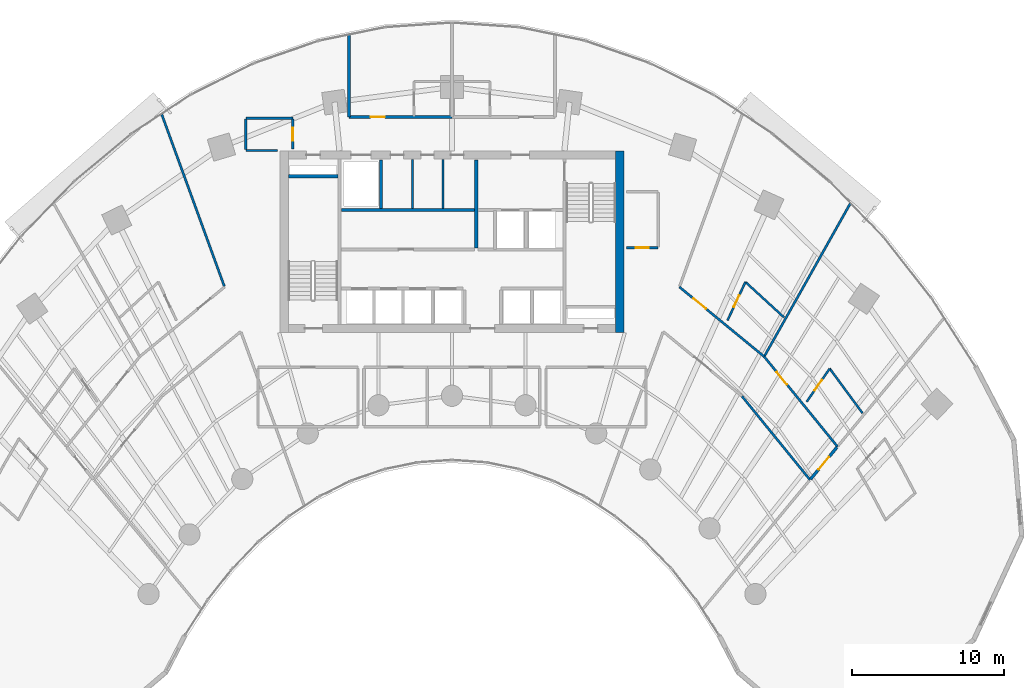
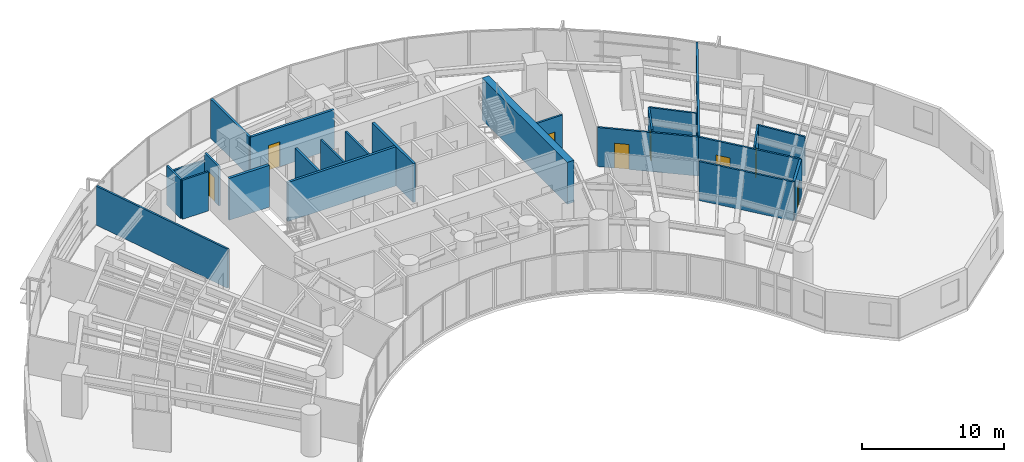
# One storey, part 13 of 17: 24 walls, 8 doors, 8 openings.
"""IFC4 building model written with IfcOpenShell, lengths in metres."""

from ifc_helpers import new_model, si_unit, direction, frame, frame_2d, origin, place, context, subcontext, project, spatial, rectangle, extrude, source, transform, mapped, material, layer, layer_set, type_object, type_shapes, element, fill, save


model = new_model("IFC4")

# Units and contexts
model_context = context("Model", 3, precision=1e-05, world=origin(), true_north=direction((0.0, 1.0)))
body_context = subcontext(model_context, "Body", "Model", "MODEL_VIEW")
ifc_project = project(units=[si_unit("LENGTHUNIT", "METRE"), si_unit("AREAUNIT", "SQUARE_METRE"), si_unit("VOLUMEUNIT", "CUBIC_METRE"), si_unit("PLANEANGLEUNIT", "RADIAN"), si_unit("MASSUNIT", "GRAM", prefix="KILO")], contexts=[model_context])

# Site, building, storey
site_placement = place(None, origin())
site = spatial("IfcSite", under=ifc_project, at=site_placement, CompositionType="ELEMENT")
building_placement = place(site_placement, origin())
building = spatial("IfcBuilding", under=site, at=building_placement, Name="Breltana Convention Tower", CompositionType="ELEMENT")
storey_placement = place(building_placement, frame((0.0, 0.0, 53.39990234375)))
storey = spatial("IfcBuildingStorey", under=building, at=storey_placement, Name="L11", CompositionType="ELEMENT", Elevation=53.39990234375)

# Walls
ifc_material_1 = material(Name="Concrete C60/75", Category="concrete")
ifc_layer_1 = layer(ifc_material_1, 0.550048828125, Name="Concrete C60/75")
ifc_layer_set_1 = layer_set([ifc_layer_1], Name="Concrete C60/75")
wall_type_1 = type_object("IfcWallType", Name="SW-CORE-550", PredefinedType="SHEAR", material=ifc_layer_set_1)
shared_shape_1 = source(origin(), body_context, "Body", "SweptSolid", [
    extrude(rectangle(XDim=12.0, YDim=0.550048828125, at=frame_2d((6.0, 0.0))), origin(), (0.0, 0.0, 1.0), 3.60009765625),
])
wall_1_placement = place(storey_placement, frame((59.074951171875, 60.199951171875, 0.0), z_axis=(0.0, 0.0, 1.0), x_axis=(0.0, 1.0, 0.0)))
element("IfcWall", 1, at=wall_1_placement, inside=storey, type_object=wall_type_1, Name="L11 East Core Shear Wall", PredefinedType="SHEAR", context=body_context, shape_type="MappedRepresentation", body=[
    mapped(shared_shape_1, transform((0.0, 0.0, 0.0), scale=1.0)),
])
ifc_material_2 = material(Name="Concrete C50/60", Category="concrete")
ifc_layer_2 = layer(ifc_material_2, 0.39990234375, Name="Concrete C50/60")
ifc_layer_set_2 = layer_set([ifc_layer_2], Name="Concrete C50/60")
wall_type_2 = type_object("IfcWallType", Name="SW-CORE-400", PredefinedType="SHEAR", material=ifc_layer_set_2)
shared_shape_2 = source(origin(), body_context, "Body", "SweptSolid", [
    extrude(rectangle(XDim=3.27001953125, YDim=0.219970703125, at=frame_2d((1.635009765625, 0.0))), origin(), (0.0, 0.0, 1.0), 3.60009765625),
])
wall_2_placement = place(storey_placement, frame((37.199951171875, 70.510009765625, 0.0), z_axis=(0.0, 0.0, 1.0), x_axis=(1.0, 0.0, 0.0)))
element("IfcWall", 2, at=wall_2_placement, inside=storey, type_object=wall_type_2, Name="L11 ST-1 Stairwell North Bearing Wall", PredefinedType="SHEAR", context=body_context, shape_type="MappedRepresentation", body=[
    mapped(shared_shape_2, transform((0.0, 0.0, 0.0), scale=1.0)),
])
ifc_material_3 = material(Name="Autoclaved Aerated Concrete Block", Category="concrete")
ifc_layer_3 = layer(ifc_material_3, 0.199951171875, Name="Autoclaved Aerated Concrete Block")
ifc_layer_set_3 = layer_set([ifc_layer_3], Name="Autoclaved Aerated Concrete Block")
wall_type_3 = type_object("IfcWallType", Name="WL-SHAFT-200", PredefinedType="SOLIDWALL", material=ifc_layer_set_3)
shared_shape_3 = source(origin(), body_context, "Body", "SweptSolid", [
    extrude(rectangle(XDim=5.800048828125, YDim=0.199951171875, at=frame_2d((2.89990234375, 0.0))), origin(), (0.0, 0.0, 1.0), 3.360107421875),
])
wall_3_placement = place(storey_placement, frame((49.60009765625, 65.800048828125, 0.0), z_axis=(0.0, 0.0, 1.0), x_axis=(0.0, 1.0, 0.0)))
element("IfcWall", 3, at=wall_3_placement, inside=storey, type_object=wall_type_3, Name="L11 interior partition W-L11-FFL-W", PredefinedType="SOLIDWALL", context=body_context, shape_type="MappedRepresentation", body=[
    mapped(shared_shape_3, transform((0.0, 0.0, 0.0), scale=1.0)),
])
shared_shape_4 = source(origin(), body_context, "Body", "SweptSolid", [
    extrude(rectangle(XDim=3.2001953125, YDim=0.199951171875, at=frame_2d((1.60009765625, 0.0))), origin(), (0.0, 0.0, 1.0), 3.360107421875),
])
wall_4_placement = place(storey_placement, frame((43.320068359375, 68.39990234375, 0.0), z_axis=(0.0, 0.0, 1.0), x_axis=(0.0, 1.0, 0.0)))
element("IfcWall", 4, at=wall_4_placement, inside=storey, type_object=wall_type_3, Name="L11 interior partition W-L11-SV-E", PredefinedType="SOLIDWALL", context=body_context, shape_type="MappedRepresentation", body=[
    mapped(shared_shape_4, transform((0.0, 0.0, 0.0), scale=1.0)),
])
shared_shape_5 = source(origin(), body_context, "Body", "SweptSolid", [
    extrude(rectangle(XDim=8.800048828125, YDim=0.199951171875, at=frame_2d((4.39990234375, 0.0))), origin(), (0.0, 0.0, 1.0), 3.360107421875),
])
wall_5_placement = place(storey_placement, frame((40.699951171875, 68.300048828125, 0.0), z_axis=(0.0, 0.0, 1.0), x_axis=(1.0, 0.0, 0.0)))
element("IfcWall", 5, at=wall_5_placement, inside=storey, type_object=wall_type_3, Name="L11 interior partition W-L11-SV-S", PredefinedType="SOLIDWALL", context=body_context, shape_type="MappedRepresentation", body=[
    mapped(shared_shape_5, transform((0.0, 0.0, 0.0), scale=1.0)),
])

# Wall, opening, door
ifc_material_4 = material(Name="Gypsum Acoustic Hotel Wall")
ifc_layer_4 = layer(ifc_material_4, 0.195068359375, Name="Gypsum Acoustic Hotel Wall")
ifc_layer_set_4 = layer_set([ifc_layer_4], Name="Gypsum Acoustic Hotel Wall")
wall_type_4 = type_object("IfcWallType", Name="WL-HOTEL-200", PredefinedType="PARTITIONING", material=ifc_layer_set_4)
shared_shape_6 = source(origin(), body_context, "Body", "SweptSolid", [
    extrude(rectangle(XDim=6.800048828125, YDim=0.195068359375, at=frame_2d((3.39990234375, 0.0))), origin(), (0.0, 0.0, 1.0), 3.360107421875),
])
type_shapes(wall_type_4, [shared_shape_6])
wall_6_placement = place(storey_placement, frame((41.199951171875, 74.419921875, 0.0), z_axis=(0.0, 0.0, 1.0), x_axis=(1.0, 0.0, 0.0)))
wall_6 = element("IfcWall", 6, at=wall_6_placement, inside=storey, type_object=wall_type_4, Name="L11 interior partition W-L11-GRN1-S", PredefinedType="PARTITIONING", context=body_context, shape_type="MappedRepresentation", body=[
    mapped(shared_shape_6, transform((0.0, 0.0, 0.0), scale=1.0)),
])
opening_1_placement = place(wall_6_placement, frame((1.428955078125, 0.0, 0.0)))
opening_1 = element("IfcOpeningElement", 7, at=opening_1_placement, cuts=wall_6, Name="Opening D-14", PredefinedType="OPENING", context=body_context, shape_type="SweptSolid", body=[
    extrude(rectangle(XDim=0.949951171875, YDim=2.14990234375, at=frame_2d((0.47509765625, 1.074951171875))), frame((0.0, 0.107421875, 0.0), z_axis=(0.0, -1.0, 0.0), x_axis=(1.0, 0.0, 0.0)), (0.0, 0.0, 1.0), 0.215087890625),
])
ifc_material_5 = material(Name="Timber Solid-Core Fire Door", Category="wood")
door_type_1 = type_object("IfcDoorType", Name="DR-FD60-950", OperationType="NOTDEFINED", PredefinedType="DOOR", material=ifc_material_5)
shared_shape_7 = source(origin(), body_context, "Body", "SweptSolid", [
    extrude(rectangle(XDim=0.949951171875, YDim=2.14990234375, at=frame_2d((0.47509765625, 1.074951171875))), frame((0.0, 0.02490234375, 0.0), z_axis=(0.0, -1.0, 0.0), x_axis=(1.0, 0.0, 0.0)), (0.0, 0.0, 1.0), 0.050048828125),
])
type_shapes(door_type_1, [shared_shape_7])
door_1_placement = place(opening_1_placement, origin())
door_1 = element("IfcDoor", 8, at=door_1_placement, inside=storey, type_object=door_type_1, Name="L11 interior door D-L11-GRN1", OperationType="SINGLE_SWING_RIGHT", OverallHeight=2.14990234375, OverallWidth=0.949951171875, PredefinedType="DOOR", context=body_context, shape_type="MappedRepresentation", body=[
    mapped(shared_shape_7, transform((0.0, 0.0, 0.0), scale=1.0)),
])
fill(opening_1, door_1)

# Wall
shared_shape_8 = source(origin(), body_context, "Body", "SweptSolid", [
    extrude(rectangle(XDim=5.42626953125, YDim=0.195068359375, at=frame_2d((2.713134765625, 0.0))), origin(), (0.0, 0.0, 1.0), 3.360107421875),
])
wall_7_placement = place(storey_placement, frame((41.199951171875, 74.419921875, 0.0), z_axis=(0.0, 0.0, 1.0), x_axis=(0.0, 1.0, 0.0)))
element("IfcWall", 9, at=wall_7_placement, inside=storey, type_object=wall_type_4, Name="L11 interior partition W-L11-GRN1-SD", PredefinedType="PARTITIONING", context=body_context, shape_type="MappedRepresentation", body=[
    mapped(shared_shape_8, transform((0.0, 0.0, 0.0), scale=1.0)),
])

# Wall, opening, door
shared_shape_9 = source(origin(), body_context, "Body", "SweptSolid", [
    extrude(rectangle(XDim=2.748291015625, YDim=0.195068359375, at=frame_2d((1.3740234375, 0.0))), origin(), (0.0, 0.0, 1.0), 3.360107421875),
])
wall_8_placement = place(storey_placement, frame((71.64697265625, 50.531005859375, 0.0), z_axis=(0.0, 0.0, 1.0), x_axis=(0.638111168284, 0.769944242729, 0.0)))
wall_8 = element("IfcWall", 10, at=wall_8_placement, inside=storey, type_object=wall_type_4, Name="L11 interior partition W-L11-CS-E-END", PredefinedType="PARTITIONING", context=body_context, shape_type="MappedRepresentation", body=[
    mapped(shared_shape_9, transform((0.0, 0.0, 0.0), scale=1.0)),
])
opening_2_placement = place(wall_8_placement, frame((0.84912109375, 0.0, 0.0)))
opening_2 = element("IfcOpeningElement", 11, at=opening_2_placement, cuts=wall_8, Name="Opening D-13", PredefinedType="OPENING", context=body_context, shape_type="SweptSolid", body=[
    extrude(rectangle(XDim=1.050048828125, YDim=2.14990234375, at=frame_2d((0.52490234375, 1.074951171875))), frame((0.0, 0.107421875, 0.0), z_axis=(0.0, -1.0, 0.0), x_axis=(1.0, 0.0, 0.0)), (0.0, 0.0, 1.0), 0.215087890625),
])
door_type_2 = type_object("IfcDoorType", Name="DR-FD60-1050", OperationType="NOTDEFINED", PredefinedType="DOOR", material=ifc_material_5)
shared_shape_10 = source(origin(), body_context, "Body", "SweptSolid", [
    extrude(rectangle(XDim=1.050048828125, YDim=2.14990234375, at=frame_2d((0.52490234375, 1.074951171875))), frame((0.0, 0.02490234375, 0.0), z_axis=(0.0, -1.0, 0.0), x_axis=(1.0, 0.0, 0.0)), (0.0, 0.0, 1.0), 0.050048828125),
])
type_shapes(door_type_2, [shared_shape_10])
door_2_placement = place(opening_2_placement, origin())
door_2 = element("IfcDoor", 12, at=door_2_placement, inside=storey, type_object=door_type_2, Name="L11 interior door D-L11-CS-E", OperationType="SINGLE_SWING_RIGHT", OverallHeight=2.14990234375, OverallWidth=1.050048828125, PredefinedType="DOOR", context=body_context, shape_type="MappedRepresentation", body=[
    mapped(shared_shape_10, transform((0.0, 0.0, 0.0), scale=1.0)),
])
fill(opening_2, door_2)

# Walls
ifc_material_6 = material(Name="Gypsum Acoustic Drywall Partition")
ifc_layer_5 = layer(ifc_material_6, 0.14990234375, Name="Gypsum Acoustic Drywall Partition")
ifc_layer_set_5 = layer_set([ifc_layer_5], Name="Gypsum Acoustic Drywall Partition")
wall_type_5 = type_object("IfcWallType", Name="WL-PART-150", PredefinedType="PARTITIONING", material=ifc_layer_set_5)
shared_shape_11 = source(origin(), body_context, "Body", "SweptSolid", [
    extrude(rectangle(XDim=3.22998046875, YDim=0.14990234375, at=frame_2d((1.614990234375, 0.0))), origin(), (0.0, 0.0, 1.0), 3.360107421875),
])
for number, where, z_axis, x_axis, name in (
    (13, (45.39990234375, 68.39990234375, 0.0), (0.0, 0.0, 1.0), (0.0, 1.0, 0.0), "L11 interior partition W-L11-KV-1"),
    (14, (47.39990234375, 68.39990234375, 0.0), (0.0, 0.0, 1.0), (0.0, 1.0, 0.0), "L11 interior partition W-L11-KV-2"),
):
    element("IfcWall", number, at=place(storey_placement, frame(where, z_axis=z_axis, x_axis=x_axis)), inside=storey, type_object=wall_type_5, Name=name, PredefinedType="PARTITIONING", context=body_context, shape_type="MappedRepresentation", body=[
        mapped(shared_shape_11, transform((0.0, 0.0, 0.0), scale=1.0)),
    ])
shared_shape_12 = source(origin(), body_context, "Body", "SweptSolid", [
    extrude(rectangle(XDim=2.10009765625, YDim=0.14990234375, at=frame_2d((1.050048828125, 0.0))), origin(), (0.0, 0.0, 1.0), 3.360107421875),
])
wall_9_placement = place(storey_placement, frame((34.39990234375, 72.219970703125, 0.0), z_axis=(0.0, 0.0, 1.0), x_axis=(1.0, 0.0, 0.0)))
element("IfcWall", 15, at=wall_9_placement, inside=storey, type_object=wall_type_5, Name="L11 interior partition W-L11-CRNE-S", PredefinedType="PARTITIONING", context=body_context, shape_type="MappedRepresentation", body=[
    mapped(shared_shape_12, transform((0.0, 0.0, 0.0), scale=1.0)),
])

# Wall, opening, door
wall_10_placement = place(storey_placement, frame((59.5, 65.800048828125, 0.0), z_axis=(0.0, 0.0, 1.0), x_axis=(1.0, 0.0, 0.0)))
wall_10 = element("IfcWall", 16, at=wall_10_placement, inside=storey, type_object=wall_type_5, Name="L11 interior partition W-L11-CRSE-S", PredefinedType="PARTITIONING", context=body_context, shape_type="MappedRepresentation", body=[
    mapped(shared_shape_12, transform((0.0, 0.0, 0.0), scale=1.0)),
])
opening_3_placement = place(wall_10_placement, frame((0.625, 0.0, 0.0)))
opening_3 = element("IfcOpeningElement", 17, at=opening_3_placement, cuts=wall_10, Name="Opening D-20", PredefinedType="OPENING", context=body_context, shape_type="SweptSolid", body=[
    extrude(rectangle(XDim=0.85009765625, YDim=2.10009765625, at=frame_2d((0.425048828125, 1.050048828125))), frame((0.0, 0.0849609375, 0.0), z_axis=(0.0, -1.0, 0.0), x_axis=(1.0, 0.0, 0.0)), (0.0, 0.0, 1.0), 0.169921875),
])
ifc_material_7 = material(Name="Steel Closet Fire Door", Category="steel")
door_type_3 = type_object("IfcDoorType", Name="DR-FD60-850", OperationType="NOTDEFINED", PredefinedType="DOOR", material=ifc_material_7)
shared_shape_13 = source(origin(), body_context, "Body", "SweptSolid", [
    extrude(rectangle(XDim=0.85009765625, YDim=2.10009765625, at=frame_2d((0.425048828125, 1.050048828125))), frame((0.0, 0.02490234375, 0.0), z_axis=(0.0, -1.0, 0.0), x_axis=(1.0, 0.0, 0.0)), (0.0, 0.0, 1.0), 0.050048828125),
])
type_shapes(door_type_3, [shared_shape_13])
door_3_placement = place(opening_3_placement, origin())
door_3 = element("IfcDoor", 18, at=door_3_placement, inside=storey, type_object=door_type_3, Name="L11 interior door D-L11-CRSE", OperationType="SINGLE_SWING_RIGHT", OverallHeight=2.10009765625, OverallWidth=0.85009765625, PredefinedType="DOOR", context=body_context, shape_type="MappedRepresentation", body=[
    mapped(shared_shape_13, transform((0.0, 0.0, 0.0), scale=1.0)),
])
fill(opening_3, door_3)

# Wall
shared_shape_14 = source(origin(), body_context, "Body", "SweptSolid", [
    extrude(rectangle(XDim=1.994873046875, YDim=0.14990234375, at=frame_2d((0.99755859375, 0.0))), origin(), (0.0, 0.0, 1.0), 3.360107421875),
])
wall_11_placement = place(storey_placement, frame((34.39990234375, 72.28759765625, 0.0), z_axis=(0.0, 0.0, 1.0), x_axis=(0.0, 1.0, 0.0)))
element("IfcWall", 19, at=wall_11_placement, inside=storey, type_object=wall_type_5, Name="L11 interior partition W-L11-CRNE-W", PredefinedType="PARTITIONING", context=body_context, shape_type="MappedRepresentation", body=[
    mapped(shared_shape_14, transform((0.0, 0.0, 0.0), scale=1.0)),
])

# Wall, opening, door
shared_shape_15 = source(origin(), body_context, "Body", "SweptSolid", [
    extrude(rectangle(XDim=1.982421875, YDim=0.14990234375, at=frame_2d((0.9912109375, 0.0))), origin(), (0.0, 0.0, 1.0), 3.360107421875),
])
wall_12_placement = place(storey_placement, frame((37.5, 72.300048828125, 0.0), z_axis=(0.0, 0.0, 1.0), x_axis=(0.0, 1.0, 0.0)))
wall_12 = element("IfcWall", 20, at=wall_12_placement, inside=storey, type_object=wall_type_5, Name="L11 interior partition W-L11-CRNE-E", PredefinedType="PARTITIONING", context=body_context, shape_type="MappedRepresentation", body=[
    mapped(shared_shape_15, transform((0.0, 0.0, 0.0), scale=1.0)),
])
opening_4_placement = place(wall_12_placement, frame((0.56640625, 0.0, 0.0)))
opening_4 = element("IfcOpeningElement", 21, at=opening_4_placement, cuts=wall_12, Name="Opening D-20", PredefinedType="OPENING", context=body_context, shape_type="SweptSolid", body=[
    extrude(rectangle(XDim=0.85009765625, YDim=2.10009765625, at=frame_2d((0.425048828125, 1.050048828125))), frame((0.0, 0.0849609375, 0.0), z_axis=(0.0, -1.0, 0.0), x_axis=(1.0, 0.0, 0.0)), (0.0, 0.0, 1.0), 0.169921875),
])
door_4_placement = place(opening_4_placement, origin())
door_4 = element("IfcDoor", 22, at=door_4_placement, inside=storey, type_object=door_type_3, Name="L11 interior door D-L11-CRNE", OperationType="SINGLE_SWING_LEFT", OverallHeight=2.10009765625, OverallWidth=0.85009765625, PredefinedType="DOOR", context=body_context, shape_type="MappedRepresentation", body=[
    mapped(shared_shape_13, transform((0.0, 0.0, 0.0), scale=1.0)),
])
fill(opening_4, door_4)

shared_shape_16 = source(origin(), body_context, "Body", "SweptSolid", [
    extrude(rectangle(XDim=7.65869140625, YDim=0.14990234375, at=frame_2d((3.829345703125, 0.0))), origin(), (0.0, 0.0, 1.0), 3.360107421875),
])
wall_13_placement = place(storey_placement, frame((68.593994140625, 58.621337890625, 0.0), z_axis=(0.0, 0.0, 1.0), x_axis=(0.631489868862, -0.775384127723, 0.0)))
wall_13 = element("IfcWall", 23, at=wall_13_placement, inside=storey, type_object=wall_type_5, Name="L11 interior partition W-L11-HS04-COR", PredefinedType="PARTITIONING", context=body_context, shape_type="MappedRepresentation", body=[
    mapped(shared_shape_16, transform((0.0, 0.0, 0.0), scale=1.0)),
])
opening_5_placement = place(wall_13_placement, frame((1.31298828125, 0.0, 0.0)))
opening_5 = element("IfcOpeningElement", 24, at=opening_5_placement, cuts=wall_13, Name="Opening D-13", PredefinedType="OPENING", context=body_context, shape_type="SweptSolid", body=[
    extrude(rectangle(XDim=1.050048828125, YDim=2.14990234375, at=frame_2d((0.52490234375, 1.074951171875))), frame((0.0, 0.0849609375, 0.0), z_axis=(0.0, -1.0, 0.0), x_axis=(1.0, 0.0, 0.0)), (0.0, 0.0, 1.0), 0.169921875),
])
door_5_placement = place(opening_5_placement, origin())
door_5 = element("IfcDoor", 25, at=door_5_placement, inside=storey, type_object=door_type_2, Name="L11 interior door D-L11-HS04", OperationType="SINGLE_SWING_RIGHT", OverallHeight=2.14990234375, OverallWidth=1.050048828125, PredefinedType="DOOR", context=body_context, shape_type="MappedRepresentation", body=[
    mapped(shared_shape_10, transform((0.0, 0.0, 0.0), scale=1.0)),
])
fill(opening_5, door_5)

# Walls
shared_shape_17 = source(origin(), body_context, "Body", "SweptSolid", [
    extrude(rectangle(XDim=11.572509765625, YDim=0.14990234375, at=frame_2d((5.7861328125, 0.0))), origin(), (0.0, 0.0, 1.0), 3.360107421875),
])
wall_14_placement = place(storey_placement, frame((68.6181640625, 58.6640625, 0.0), z_axis=(0.0, 0.0, 1.0), x_axis=(0.490161073951, 0.871631872744, 0.0)))
element("IfcWall", 26, at=wall_14_placement, inside=storey, type_object=wall_type_5, Name="L11 interior partition W-L11-HS03-RB", PredefinedType="PARTITIONING", context=body_context, shape_type="MappedRepresentation", body=[
    mapped(shared_shape_17, transform((0.0, 0.0, 0.0), scale=1.0)),
])
ifc_material_8 = material(Name="Moisture-Resistant En-Suite Partition")
ifc_layer_6 = layer(ifc_material_8, 0.139892578125, Name="Moisture-Resistant En-Suite Partition")
ifc_layer_set_6 = layer_set([ifc_layer_6], Name="Moisture-Resistant En-Suite Partition")
wall_type_6 = type_object("IfcWallType", Name="WL-WET-150", PredefinedType="PARTITIONING", material=ifc_layer_set_6)
shared_shape_18 = source(origin(), body_context, "Body", "SweptSolid", [
    extrude(rectangle(XDim=3.656494140625, YDim=0.139892578125, at=frame_2d((1.828125, 0.0))), origin(), (0.0, 0.0, 1.0), 3.360107421875),
])
wall_15_placement = place(storey_placement, frame((72.917724609375, 57.831298828125, 0.0), z_axis=(0.0, 0.0, 1.0), x_axis=(0.592700141555, -0.805423206892, 0.0)))
element("IfcWall", 27, at=wall_15_placement, inside=storey, type_object=wall_type_6, Name="L11 interior partition W-L11-HS04E-BK", PredefinedType="PARTITIONING", context=body_context, shape_type="MappedRepresentation", body=[
    mapped(shared_shape_18, transform((0.0, 0.0, 0.0), scale=1.0)),
])

# Wall, opening, door
shared_shape_19 = source(origin(), body_context, "Body", "SweptSolid", [
    extrude(rectangle(XDim=7.23681640625, YDim=0.14990234375, at=frame_2d((3.618408203125, 0.0))), origin(), (0.0, 0.0, 1.0), 3.360107421875),
])
wall_16_placement = place(storey_placement, frame((63.001220703125, 63.214111328125, 0.0), z_axis=(0.0, 0.0, 1.0), x_axis=(0.772813707793, -0.634632943557, 0.0)))
wall_16 = element("IfcWall", 28, at=wall_16_placement, inside=storey, type_object=wall_type_5, Name="L11 interior partition W-L11-HS03-COR", PredefinedType="PARTITIONING", context=body_context, shape_type="MappedRepresentation", body=[
    mapped(shared_shape_19, transform((0.0, 0.0, 0.0), scale=1.0)),
])
opening_6_placement = place(wall_16_placement, frame((1.2119140625, 0.0, 0.0)))
opening_6 = element("IfcOpeningElement", 29, at=opening_6_placement, cuts=wall_16, Name="Opening D-13", PredefinedType="OPENING", context=body_context, shape_type="SweptSolid", body=[
    extrude(rectangle(XDim=1.050048828125, YDim=2.14990234375, at=frame_2d((0.52490234375, 1.074951171875))), frame((0.0, 0.0849609375, 0.0), z_axis=(0.0, -1.0, 0.0), x_axis=(1.0, 0.0, 0.0)), (0.0, 0.0, 1.0), 0.169921875),
])
door_6_placement = place(opening_6_placement, origin())
door_6 = element("IfcDoor", 30, at=door_6_placement, inside=storey, type_object=door_type_2, Name="L11 interior door D-L11-HS03", OperationType="SINGLE_SWING_RIGHT", OverallHeight=2.14990234375, OverallWidth=1.050048828125, PredefinedType="DOOR", context=body_context, shape_type="MappedRepresentation", body=[
    mapped(shared_shape_10, transform((0.0, 0.0, 0.0), scale=1.0)),
])
fill(opening_6, door_6)

# Walls
shared_shape_20 = source(origin(), body_context, "Body", "SweptSolid", [
    extrude(rectangle(XDim=12.088134765625, YDim=0.14990234375, at=frame_2d((6.0439453125, 0.0))), origin(), (0.0, 0.0, 1.0), 3.360107421875),
])
wall_17_placement = place(storey_placement, frame((32.9814453125, 63.26220703125, 0.0), z_axis=(0.0, 0.0, 1.0), x_axis=(-0.34203007529, 0.939689005787, 0.0)))
element("IfcWall", 31, at=wall_17_placement, inside=storey, type_object=wall_type_5, Name="L11 interior partition W-L11-HS02-RB", PredefinedType="PARTITIONING", context=body_context, shape_type="MappedRepresentation", body=[
    mapped(shared_shape_20, transform((0.0, 0.0, 0.0), scale=1.0)),
])
shared_shape_21 = source(origin(), body_context, "Body", "SweptSolid", [
    extrude(rectangle(XDim=3.456298828125, YDim=0.139892578125, at=frame_2d((1.72802734375, 0.0))), origin(), (0.0, 0.0, 1.0), 3.360107421875),
])
wall_18_placement = place(storey_placement, frame((67.357666015625, 63.5439453125, 0.0), z_axis=(0.0, 0.0, 1.0), x_axis=(0.736860870293, -0.676044420013, 0.0)))
element("IfcWall", 32, at=wall_18_placement, inside=storey, type_object=wall_type_6, Name="L11 interior partition W-L11-HS03E-BK", PredefinedType="PARTITIONING", context=body_context, shape_type="MappedRepresentation", body=[
    mapped(shared_shape_21, transform((0.0, 0.0, 0.0), scale=1.0)),
])

# Wall, opening, door
shared_shape_22 = source(origin(), body_context, "Body", "SweptSolid", [
    extrude(rectangle(XDim=2.796142578125, YDim=0.139892578125, at=frame_2d((1.39794921875, 0.0))), origin(), (0.0, 0.0, 1.0), 3.360107421875),
])
wall_19_placement = place(storey_placement, frame((66.1767578125, 61.00927734375, 0.0), z_axis=(0.0, 0.0, 1.0), x_axis=(0.422316594955, 0.906448395456, 0.0)))
wall_19 = element("IfcWall", 33, at=wall_19_placement, inside=storey, type_object=wall_type_6, Name="L11 interior partition W-L11-HS03E-SD", PredefinedType="PARTITIONING", context=body_context, shape_type="MappedRepresentation", body=[
    mapped(shared_shape_22, transform((0.0, 0.0, 0.0), scale=1.0)),
])
opening_7_placement = place(wall_19_placement, frame((0.97314453125, 0.0, 0.0)))
opening_7 = element("IfcOpeningElement", 34, at=opening_7_placement, cuts=wall_19, Name="Opening D-21", PredefinedType="OPENING", context=body_context, shape_type="SweptSolid", body=[
    extrude(rectangle(XDim=0.85009765625, YDim=2.050048828125, at=frame_2d((0.425048828125, 1.02490234375))), frame((0.0, 0.080078125, 0.0), z_axis=(0.0, -1.0, 0.0), x_axis=(1.0, 0.0, 0.0)), (0.0, 0.0, 1.0), 0.159912109375),
])
ifc_material_9 = material(Name="Timber Moisture-Resistant En-Suite Door", Category="wood")
door_type_4 = type_object("IfcDoorType", Name="DR-WET-850", OperationType="NOTDEFINED", PredefinedType="DOOR", material=ifc_material_9)
shared_shape_23 = source(origin(), body_context, "Body", "SweptSolid", [
    extrude(rectangle(XDim=0.85009765625, YDim=2.050048828125, at=frame_2d((0.425048828125, 1.02490234375))), frame((0.0, 0.02490234375, 0.0), z_axis=(0.0, -1.0, 0.0), x_axis=(1.0, 0.0, 0.0)), (0.0, 0.0, 1.0), 0.050048828125),
])
type_shapes(door_type_4, [shared_shape_23])
door_7_placement = place(opening_7_placement, origin())
door_7 = element("IfcDoor", 35, at=door_7_placement, inside=storey, type_object=door_type_4, Name="L11 interior door D-L11-HS03E", OperationType="SINGLE_SWING_LEFT", OverallHeight=2.050048828125, OverallWidth=0.85009765625, PredefinedType="DOOR", context=body_context, shape_type="MappedRepresentation", body=[
    mapped(shared_shape_23, transform((0.0, 0.0, 0.0), scale=1.0)),
])
fill(opening_7, door_7)

shared_shape_24 = source(origin(), body_context, "Body", "SweptSolid", [
    extrude(rectangle(XDim=2.662841796875, YDim=0.139892578125, at=frame_2d((1.33154296875, 0.0))), origin(), (0.0, 0.0, 1.0), 3.360107421875),
])
wall_20_placement = place(storey_placement, frame((71.3974609375, 55.64501953125, 0.0), z_axis=(0.0, 0.0, 1.0), x_axis=(0.570905989724, 0.821015438891, 0.0)))
wall_20 = element("IfcWall", 36, at=wall_20_placement, inside=storey, type_object=wall_type_6, Name="L11 interior partition W-L11-HS04E-SD", PredefinedType="PARTITIONING", context=body_context, shape_type="MappedRepresentation", body=[
    mapped(shared_shape_24, transform((0.0, 0.0, 0.0), scale=1.0)),
])
opening_8_placement = place(wall_20_placement, frame((0.906494140625, 0.0, 0.0)))
opening_8 = element("IfcOpeningElement", 37, at=opening_8_placement, cuts=wall_20, Name="Opening D-21", PredefinedType="OPENING", context=body_context, shape_type="SweptSolid", body=[
    extrude(rectangle(XDim=0.85009765625, YDim=2.050048828125, at=frame_2d((0.425048828125, 1.02490234375))), frame((0.0, 0.080078125, 0.0), z_axis=(0.0, -1.0, 0.0), x_axis=(1.0, 0.0, 0.0)), (0.0, 0.0, 1.0), 0.159912109375),
])
door_8_placement = place(opening_8_placement, origin())
door_8 = element("IfcDoor", 38, at=door_8_placement, inside=storey, type_object=door_type_4, Name="L11 interior door D-L11-HS04E", OperationType="SINGLE_SWING_LEFT", OverallHeight=2.050048828125, OverallWidth=0.85009765625, PredefinedType="DOOR", context=body_context, shape_type="MappedRepresentation", body=[
    mapped(shared_shape_23, transform((0.0, 0.0, 0.0), scale=1.0)),
])
fill(opening_8, door_8)

# Walls
shared_shape_25 = source(origin(), body_context, "Body", "SweptSolid", [
    extrude(rectangle(XDim=7.112548828125, YDim=0.14990234375, at=frame_2d((3.55615234375, 0.0))), origin(), (0.0, 0.0, 1.0), 3.360107421875),
])
wall_21_placement = place(storey_placement, frame((67.125732421875, 56.010009765625, 0.0), z_axis=(0.0, 0.0, 1.0), x_axis=(0.63149032532, -0.775383755974, 0.0)))
element("IfcWall", 39, at=wall_21_placement, inside=storey, type_object=wall_type_5, Name="L11 interior partition W-L11-HCF2-COR2", PredefinedType="PARTITIONING", context=body_context, shape_type="MappedRepresentation", body=[
    mapped(shared_shape_25, transform((0.0, 0.0, 0.0), scale=1.0)),
])
shared_shape_26 = source(origin(), body_context, "Body", "SweptSolid", [
    extrude(rectangle(XDim=3.10009765625, YDim=0.14990234375, at=frame_2d((1.550048828125, 0.0))), origin(), (0.0, 0.0, 1.0), 2.72900390625),
])
wall_22_placement = place(storey_placement, frame((34.39990234375, 74.35009765625, 0.0), z_axis=(0.0, 0.0, 1.0), x_axis=(1.0, 0.0, 0.0)))
element("IfcWall", 40, at=wall_22_placement, inside=storey, type_object=wall_type_5, Name="L11 interior partition W-L11-CRNE-N", PredefinedType="PARTITIONING", context=body_context, shape_type="MappedRepresentation", body=[
    mapped(shared_shape_26, transform((0.0, 0.0, 0.0), scale=1.0)),
])

save(model, "model.ifc")
